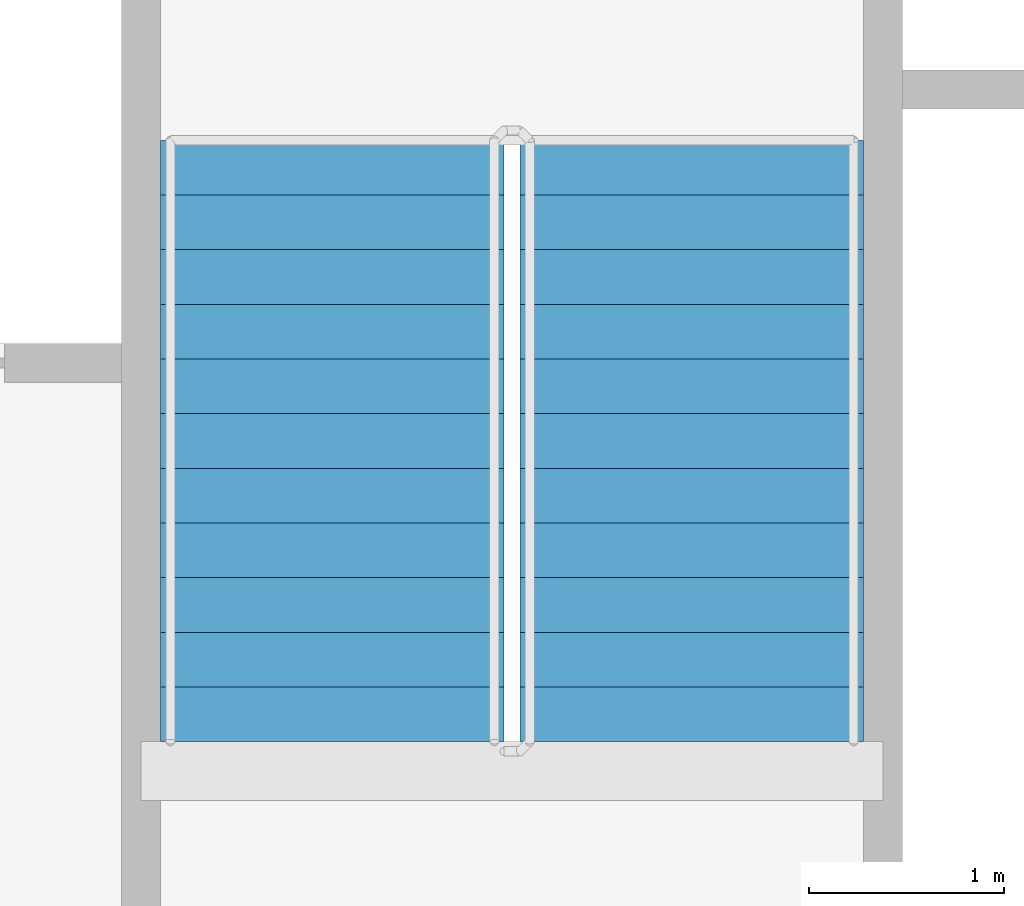
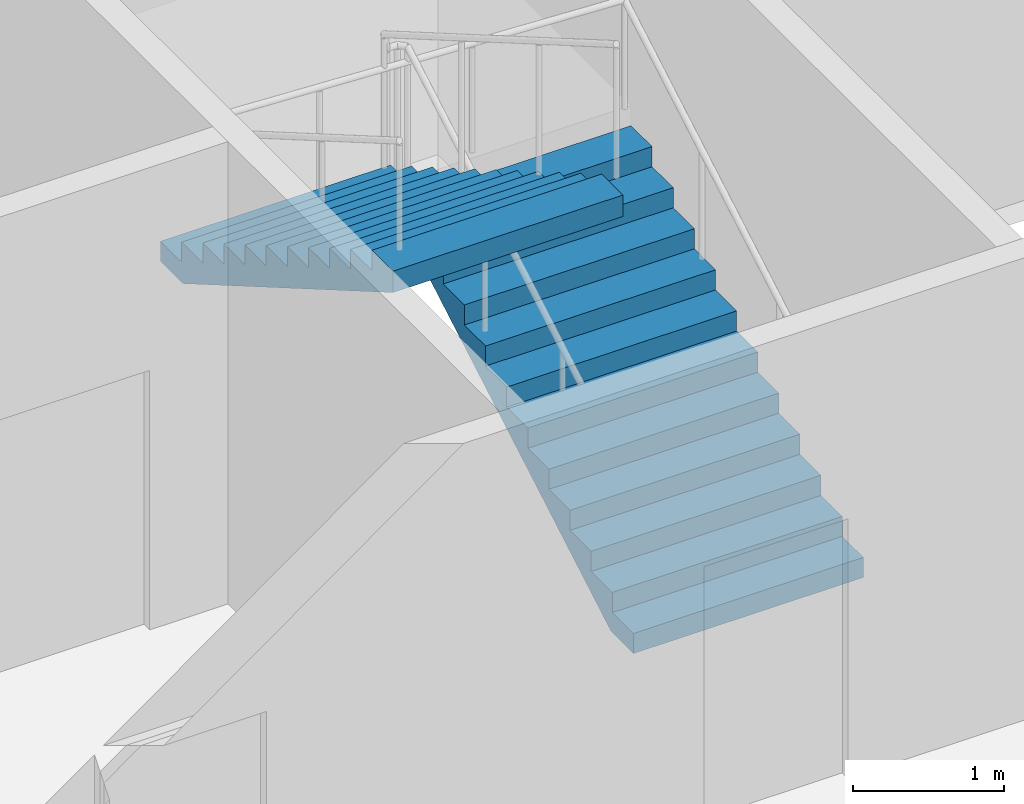
# One storey, part 16 of 21: 2 stair flights, 1 element without a shape of its own.
"""IFC4 building model written with IfcOpenShell, lengths in metres."""

from ifc_helpers import new_model, si_unit, direction, frame, origin, place, context, subcontext, project, spatial, faceted_brep, material, type_object, element, aggregate, save


model = new_model("IFC4")

# Units and contexts
model_context = context("Model", 3, precision=1e-05, world=origin(), true_north=direction((0.0, 1.0)))
body_context = subcontext(model_context, "Body", "Model", "MODEL_VIEW")
ifc_project = project(units=[si_unit("LENGTHUNIT", "METRE"), si_unit("AREAUNIT", "SQUARE_METRE"), si_unit("VOLUMEUNIT", "CUBIC_METRE"), si_unit("PLANEANGLEUNIT", "RADIAN"), si_unit("MASSUNIT", "GRAM", prefix="KILO")], contexts=[model_context])

# Site, building, storey
site_placement = place(None, origin())
site = spatial("IfcSite", under=ifc_project, at=site_placement, CompositionType="ELEMENT")
building_placement = place(site_placement, origin())
building = spatial("IfcBuilding", under=site, at=building_placement, Name="Tarsis Ring Headquarters", CompositionType="ELEMENT")
storey_placement = place(building_placement, frame((0.0, 0.0, 331.39990234375)))
storey = spatial("IfcBuildingStorey", under=building, at=storey_placement, Name="L78", CompositionType="ELEMENT", Elevation=331.39990234375)

# Stair, stair flights
ifc_material_1 = material(Name="Core stair 1760")
stair_type = type_object("IfcStairType", Name="Core stair 1760", PredefinedType="HALF_TURN_STAIR", material=ifc_material_1)
stair_placement = place(storey_placement, origin())
stair = element("IfcStair", 1, at=stair_placement, inside=storey, type_object=stair_type, Name="L78 Exit stair B", PredefinedType="HALF_TURN_STAIR")
ifc_material_2 = material(Name="Concrete C40/50", Category="concrete")
stair_flight_type = type_object("IfcStairFlightType", Name="Core stair flight 1760", PredefinedType="STRAIGHT", material=ifc_material_2)
stair_flight_1_placement = place(storey_placement, frame((5.419921875, 3.659912109375, 0.0), z_axis=(0.0, 0.0, 1.0), x_axis=(0.0, 1.0, 0.0)))
stair_flight_1 = element("IfcStairFlight", 2, at=stair_flight_1_placement, type_object=stair_flight_type, Name="Stair ST2 flight 1", NumberOfRisers=12, NumberOfTreads=11, PredefinedType="STRAIGHT", RiserHeight=0.1625, TreadLength=0.28, context=body_context, shape_type="Brep", body=[
    faceted_brep([(0.0, 0.8798828125, 0.0), (0.0, 0.8798828125, 0.16259765625), (0.280029296875, 0.8798828125, 0.16259765625), (0.280029296875, 0.8798828125, 0.324951171875), (0.56005859375, 0.8798828125, 0.324951171875), (0.56005859375, 0.8798828125, 0.487548828125), (0.840087890625, 0.8798828125, 0.487548828125), (0.840087890625, 0.8798828125, 0.64990234375), (1.1201171875, 0.8798828125, 0.64990234375), (1.1201171875, 0.8798828125, 0.8125), (1.39990234375, 0.8798828125, 0.8125), (1.39990234375, 0.8798828125, 0.97509765625), (1.679931640625, 0.8798828125, 0.97509765625), (1.679931640625, 0.8798828125, 1.137451171875), (1.9599609375, 0.8798828125, 1.137451171875), (1.9599609375, 0.8798828125, 1.300048828125), (2.239990234375, 0.8798828125, 1.300048828125), (2.239990234375, 0.8798828125, 1.46240234375), (2.52001953125, 0.8798828125, 1.46240234375), (2.52001953125, 0.8798828125, 1.625), (2.800048828125, 0.8798828125, 1.625), (2.800048828125, 0.8798828125, 1.78759765625), (3.080078125, 0.8798828125, 1.78759765625), (3.080078125, 0.8798828125, 1.6142578125), (0.298583984375, 0.8798828125, 0.0), (0.298583984375, -0.8798828125, 0.0), (3.080078125, -0.8798828125, 1.6142578125), (3.080078125, -0.8798828125, 1.78759765625), (2.800048828125, -0.8798828125, 1.78759765625), (2.800048828125, -0.8798828125, 1.625), (2.52001953125, -0.8798828125, 1.625), (2.52001953125, -0.8798828125, 1.46240234375), (2.239990234375, -0.8798828125, 1.46240234375), (2.239990234375, -0.8798828125, 1.300048828125), (1.9599609375, -0.8798828125, 1.300048828125), (1.9599609375, -0.8798828125, 1.137451171875), (1.679931640625, -0.8798828125, 1.137451171875), (1.679931640625, -0.8798828125, 0.97509765625), (1.39990234375, -0.8798828125, 0.97509765625), (1.39990234375, -0.8798828125, 0.8125), (1.1201171875, -0.8798828125, 0.8125), (1.1201171875, -0.8798828125, 0.64990234375), (0.840087890625, -0.8798828125, 0.64990234375), (0.840087890625, -0.8798828125, 0.487548828125), (0.56005859375, -0.8798828125, 0.487548828125), (0.56005859375, -0.8798828125, 0.324951171875), (0.280029296875, -0.8798828125, 0.324951171875), (0.280029296875, -0.8798828125, 0.16259765625), (0.0, -0.8798828125, 0.16259765625), (0.0, -0.8798828125, 0.0), (0.0, -0.43994140625, 0.16259765625), (0.0, -0.43994140625, 0.0), (0.0, 0.0, 0.16259765625), (0.0, 0.0, 0.0), (0.0, 0.43994140625, 0.16259765625), (0.0, 0.43994140625, 0.0), (0.280029296875, -0.43994140625, 0.16259765625), (0.280029296875, 0.0, 0.16259765625), (0.280029296875, 0.43994140625, 0.16259765625), (0.280029296875, -0.43994140625, 0.324951171875), (0.280029296875, 0.0, 0.324951171875), (0.280029296875, 0.43994140625, 0.324951171875), (0.56005859375, -0.43994140625, 0.324951171875), (0.56005859375, 0.0, 0.324951171875), (0.56005859375, 0.43994140625, 0.324951171875), (0.56005859375, -0.43994140625, 0.487548828125), (0.56005859375, 0.0, 0.487548828125), (0.56005859375, 0.43994140625, 0.487548828125), (0.840087890625, -0.43994140625, 0.487548828125), (0.840087890625, 0.0, 0.487548828125), (0.840087890625, 0.43994140625, 0.487548828125), (0.840087890625, -0.43994140625, 0.64990234375), (0.840087890625, 0.0, 0.64990234375), (0.840087890625, 0.43994140625, 0.64990234375), (1.1201171875, -0.43994140625, 0.64990234375), (1.1201171875, 0.0, 0.64990234375), (1.1201171875, 0.43994140625, 0.64990234375), (1.1201171875, -0.43994140625, 0.8125), (1.1201171875, 0.0, 0.8125), (1.1201171875, 0.43994140625, 0.8125), (1.39990234375, -0.43994140625, 0.8125), (1.39990234375, 0.0, 0.8125), (1.39990234375, 0.43994140625, 0.8125), (1.39990234375, -0.43994140625, 0.97509765625), (1.39990234375, 0.0, 0.97509765625), (1.39990234375, 0.43994140625, 0.97509765625), (1.679931640625, -0.43994140625, 0.97509765625), (1.679931640625, 0.0, 0.97509765625), (1.679931640625, 0.43994140625, 0.97509765625), (1.679931640625, -0.43994140625, 1.137451171875), (1.679931640625, 0.0, 1.137451171875), (1.679931640625, 0.43994140625, 1.137451171875), (1.9599609375, -0.43994140625, 1.137451171875), (1.9599609375, 0.0, 1.137451171875), (1.9599609375, 0.43994140625, 1.137451171875), (1.9599609375, -0.43994140625, 1.300048828125), (1.9599609375, 0.0, 1.300048828125), (1.9599609375, 0.43994140625, 1.300048828125), (2.239990234375, -0.43994140625, 1.300048828125), (2.239990234375, 0.0, 1.300048828125), (2.239990234375, 0.43994140625, 1.300048828125), (2.239990234375, -0.43994140625, 1.46240234375), (2.239990234375, 0.0, 1.46240234375), (2.239990234375, 0.43994140625, 1.46240234375), (2.52001953125, -0.43994140625, 1.46240234375), (2.52001953125, 0.0, 1.46240234375), (2.52001953125, 0.43994140625, 1.46240234375), (2.52001953125, -0.43994140625, 1.625), (2.52001953125, 0.0, 1.625), (2.52001953125, 0.43994140625, 1.625), (2.800048828125, -0.43994140625, 1.625), (2.800048828125, 0.0, 1.625), (2.800048828125, 0.43994140625, 1.625), (2.800048828125, -0.43994140625, 1.78759765625), (2.800048828125, 0.0, 1.78759765625), (2.800048828125, 0.43994140625, 1.78759765625), (3.080078125, -0.43994140625, 1.78759765625), (3.080078125, 0.0, 1.78759765625), (3.080078125, 0.43994140625, 1.78759765625), (3.080078125, -0.43994140625, 1.6142578125), (3.080078125, 0.0, 1.6142578125), (3.080078125, 0.43994140625, 1.6142578125), (0.298583984375, -0.43994140625, 0.0), (0.298583984375, 0.0, 0.0), (0.298583984375, 0.43994140625, 0.0)], [[[0, 1, 2, 3, 4, 5, 6, 7, 8, 9, 10, 11, 12, 13, 14, 15, 16, 17, 18, 19, 20, 21, 22, 23, 24]], [[25, 26, 27, 28, 29, 30, 31, 32, 33, 34, 35, 36, 37, 38, 39, 40, 41, 42, 43, 44, 45, 46, 47, 48, 49]], [[49, 48, 50, 51]], [[51, 50, 52, 53]], [[53, 52, 54, 55]], [[55, 54, 1, 0]], [[48, 47, 56, 50]], [[50, 56, 57, 52]], [[52, 57, 58, 54]], [[54, 58, 2, 1]], [[47, 46, 59, 56]], [[56, 59, 60, 57]], [[57, 60, 61, 58]], [[58, 61, 3, 2]], [[46, 45, 62, 59]], [[59, 62, 63, 60]], [[60, 63, 64, 61]], [[61, 64, 4, 3]], [[45, 44, 65, 62]], [[62, 65, 66, 63]], [[63, 66, 67, 64]], [[64, 67, 5, 4]], [[44, 43, 68, 65]], [[65, 68, 69, 66]], [[66, 69, 70, 67]], [[67, 70, 6, 5]], [[43, 42, 71, 68]], [[68, 71, 72, 69]], [[69, 72, 73, 70]], [[70, 73, 7, 6]], [[42, 41, 74, 71]], [[71, 74, 75, 72]], [[72, 75, 76, 73]], [[73, 76, 8, 7]], [[41, 40, 77, 74]], [[74, 77, 78, 75]], [[75, 78, 79, 76]], [[76, 79, 9, 8]], [[40, 39, 80, 77]], [[77, 80, 81, 78]], [[78, 81, 82, 79]], [[79, 82, 10, 9]], [[39, 38, 83, 80]], [[80, 83, 84, 81]], [[81, 84, 85, 82]], [[82, 85, 11, 10]], [[38, 37, 86, 83]], [[83, 86, 87, 84]], [[84, 87, 88, 85]], [[85, 88, 12, 11]], [[37, 36, 89, 86]], [[86, 89, 90, 87]], [[87, 90, 91, 88]], [[88, 91, 13, 12]], [[36, 35, 92, 89]], [[89, 92, 93, 90]], [[90, 93, 94, 91]], [[91, 94, 14, 13]], [[35, 34, 95, 92]], [[92, 95, 96, 93]], [[93, 96, 97, 94]], [[94, 97, 15, 14]], [[34, 33, 98, 95]], [[95, 98, 99, 96]], [[96, 99, 100, 97]], [[97, 100, 16, 15]], [[33, 32, 101, 98]], [[98, 101, 102, 99]], [[99, 102, 103, 100]], [[100, 103, 17, 16]], [[32, 31, 104, 101]], [[101, 104, 105, 102]], [[102, 105, 106, 103]], [[103, 106, 18, 17]], [[31, 30, 107, 104]], [[104, 107, 108, 105]], [[105, 108, 109, 106]], [[106, 109, 19, 18]], [[30, 29, 110, 107]], [[107, 110, 111, 108]], [[108, 111, 112, 109]], [[109, 112, 20, 19]], [[29, 28, 113, 110]], [[110, 113, 114, 111]], [[111, 114, 115, 112]], [[112, 115, 21, 20]], [[28, 27, 116, 113]], [[113, 116, 117, 114]], [[114, 117, 118, 115]], [[115, 118, 22, 21]], [[27, 26, 119, 116]], [[116, 119, 120, 117]], [[117, 120, 121, 118]], [[118, 121, 23, 22]], [[26, 25, 122, 119]], [[119, 122, 123, 120]], [[120, 123, 124, 121]], [[121, 124, 24, 23]], [[25, 49, 51, 122]], [[122, 51, 53, 123]], [[123, 53, 55, 124]], [[124, 55, 0, 24]]]),
])
stair_flight_2_placement = place(storey_placement, frame((3.580078125, 6.739990234375, 1.9501953125), z_axis=(0.0, 0.0, 1.0), x_axis=(0.0, -1.0, 0.0)))
stair_flight_2 = element("IfcStairFlight", 3, at=stair_flight_2_placement, type_object=stair_flight_type, Name="Stair ST2 flight 2", NumberOfRisers=12, NumberOfTreads=11, PredefinedType="STRAIGHT", RiserHeight=0.1625, TreadLength=0.28, context=body_context, shape_type="Brep", body=[
    faceted_brep([(0.0, 0.8798828125, 0.0), (0.0, 0.8798828125, 0.16259765625), (0.280029296875, 0.8798828125, 0.16259765625), (0.280029296875, 0.8798828125, 0.324951171875), (0.56005859375, 0.8798828125, 0.324951171875), (0.56005859375, 0.8798828125, 0.487548828125), (0.840087890625, 0.8798828125, 0.487548828125), (0.840087890625, 0.8798828125, 0.64990234375), (1.1201171875, 0.8798828125, 0.64990234375), (1.1201171875, 0.8798828125, 0.8125), (1.39990234375, 0.8798828125, 0.8125), (1.39990234375, 0.8798828125, 0.97509765625), (1.679931640625, 0.8798828125, 0.97509765625), (1.679931640625, 0.8798828125, 1.137451171875), (1.9599609375, 0.8798828125, 1.137451171875), (1.9599609375, 0.8798828125, 1.300048828125), (2.239990234375, 0.8798828125, 1.300048828125), (2.239990234375, 0.8798828125, 1.46240234375), (2.52001953125, 0.8798828125, 1.46240234375), (2.52001953125, 0.8798828125, 1.625), (2.800048828125, 0.8798828125, 1.625), (2.800048828125, 0.8798828125, 1.78759765625), (3.080078125, 0.8798828125, 1.78759765625), (3.080078125, 0.8798828125, 1.6142578125), (0.298583984375, 0.8798828125, 0.0), (0.298583984375, -0.8798828125, 0.0), (3.080078125, -0.8798828125, 1.6142578125), (3.080078125, -0.8798828125, 1.78759765625), (2.800048828125, -0.8798828125, 1.78759765625), (2.800048828125, -0.8798828125, 1.625), (2.52001953125, -0.8798828125, 1.625), (2.52001953125, -0.8798828125, 1.46240234375), (2.239990234375, -0.8798828125, 1.46240234375), (2.239990234375, -0.8798828125, 1.300048828125), (1.9599609375, -0.8798828125, 1.300048828125), (1.9599609375, -0.8798828125, 1.137451171875), (1.679931640625, -0.8798828125, 1.137451171875), (1.679931640625, -0.8798828125, 0.97509765625), (1.39990234375, -0.8798828125, 0.97509765625), (1.39990234375, -0.8798828125, 0.8125), (1.1201171875, -0.8798828125, 0.8125), (1.1201171875, -0.8798828125, 0.64990234375), (0.840087890625, -0.8798828125, 0.64990234375), (0.840087890625, -0.8798828125, 0.487548828125), (0.56005859375, -0.8798828125, 0.487548828125), (0.56005859375, -0.8798828125, 0.324951171875), (0.280029296875, -0.8798828125, 0.324951171875), (0.280029296875, -0.8798828125, 0.16259765625), (0.0, -0.8798828125, 0.16259765625), (0.0, -0.8798828125, 0.0), (0.0, -0.43994140625, 0.16259765625), (0.0, -0.43994140625, 0.0), (0.0, 0.0, 0.16259765625), (0.0, 0.0, 0.0), (0.0, 0.43994140625, 0.16259765625), (0.0, 0.43994140625, 0.0), (0.280029296875, -0.43994140625, 0.16259765625), (0.280029296875, 0.0, 0.16259765625), (0.280029296875, 0.43994140625, 0.16259765625), (0.280029296875, -0.43994140625, 0.324951171875), (0.280029296875, 0.0, 0.324951171875), (0.280029296875, 0.43994140625, 0.324951171875), (0.56005859375, -0.43994140625, 0.324951171875), (0.56005859375, 0.0, 0.324951171875), (0.56005859375, 0.43994140625, 0.324951171875), (0.56005859375, -0.43994140625, 0.487548828125), (0.56005859375, 0.0, 0.487548828125), (0.56005859375, 0.43994140625, 0.487548828125), (0.840087890625, -0.43994140625, 0.487548828125), (0.840087890625, 0.0, 0.487548828125), (0.840087890625, 0.43994140625, 0.487548828125), (0.840087890625, -0.43994140625, 0.64990234375), (0.840087890625, 0.0, 0.64990234375), (0.840087890625, 0.43994140625, 0.64990234375), (1.1201171875, -0.43994140625, 0.64990234375), (1.1201171875, 0.0, 0.64990234375), (1.1201171875, 0.43994140625, 0.64990234375), (1.1201171875, -0.43994140625, 0.8125), (1.1201171875, 0.0, 0.8125), (1.1201171875, 0.43994140625, 0.8125), (1.39990234375, -0.43994140625, 0.8125), (1.39990234375, 0.0, 0.8125), (1.39990234375, 0.43994140625, 0.8125), (1.39990234375, -0.43994140625, 0.97509765625), (1.39990234375, 0.0, 0.97509765625), (1.39990234375, 0.43994140625, 0.97509765625), (1.679931640625, -0.43994140625, 0.97509765625), (1.679931640625, 0.0, 0.97509765625), (1.679931640625, 0.43994140625, 0.97509765625), (1.679931640625, -0.43994140625, 1.137451171875), (1.679931640625, 0.0, 1.137451171875), (1.679931640625, 0.43994140625, 1.137451171875), (1.9599609375, -0.43994140625, 1.137451171875), (1.9599609375, 0.0, 1.137451171875), (1.9599609375, 0.43994140625, 1.137451171875), (1.9599609375, -0.43994140625, 1.300048828125), (1.9599609375, 0.0, 1.300048828125), (1.9599609375, 0.43994140625, 1.300048828125), (2.239990234375, -0.43994140625, 1.300048828125), (2.239990234375, 0.0, 1.300048828125), (2.239990234375, 0.43994140625, 1.300048828125), (2.239990234375, -0.43994140625, 1.46240234375), (2.239990234375, 0.0, 1.46240234375), (2.239990234375, 0.43994140625, 1.46240234375), (2.52001953125, -0.43994140625, 1.46240234375), (2.52001953125, 0.0, 1.46240234375), (2.52001953125, 0.43994140625, 1.46240234375), (2.52001953125, -0.43994140625, 1.625), (2.52001953125, 0.0, 1.625), (2.52001953125, 0.43994140625, 1.625), (2.800048828125, -0.43994140625, 1.625), (2.800048828125, 0.0, 1.625), (2.800048828125, 0.43994140625, 1.625), (2.800048828125, -0.43994140625, 1.78759765625), (2.800048828125, 0.0, 1.78759765625), (2.800048828125, 0.43994140625, 1.78759765625), (3.080078125, -0.43994140625, 1.78759765625), (3.080078125, 0.0, 1.78759765625), (3.080078125, 0.43994140625, 1.78759765625), (3.080078125, -0.43994140625, 1.6142578125), (3.080078125, 0.0, 1.6142578125), (3.080078125, 0.43994140625, 1.6142578125), (0.298583984375, -0.43994140625, 0.0), (0.298583984375, 0.0, 0.0), (0.298583984375, 0.43994140625, 0.0)], [[[0, 1, 2, 3, 4, 5, 6, 7, 8, 9, 10, 11, 12, 13, 14, 15, 16, 17, 18, 19, 20, 21, 22, 23, 24]], [[25, 26, 27, 28, 29, 30, 31, 32, 33, 34, 35, 36, 37, 38, 39, 40, 41, 42, 43, 44, 45, 46, 47, 48, 49]], [[49, 48, 50, 51]], [[51, 50, 52, 53]], [[53, 52, 54, 55]], [[55, 54, 1, 0]], [[48, 47, 56, 50]], [[50, 56, 57, 52]], [[52, 57, 58, 54]], [[54, 58, 2, 1]], [[47, 46, 59, 56]], [[56, 59, 60, 57]], [[57, 60, 61, 58]], [[58, 61, 3, 2]], [[46, 45, 62, 59]], [[59, 62, 63, 60]], [[60, 63, 64, 61]], [[61, 64, 4, 3]], [[45, 44, 65, 62]], [[62, 65, 66, 63]], [[63, 66, 67, 64]], [[64, 67, 5, 4]], [[44, 43, 68, 65]], [[65, 68, 69, 66]], [[66, 69, 70, 67]], [[67, 70, 6, 5]], [[43, 42, 71, 68]], [[68, 71, 72, 69]], [[69, 72, 73, 70]], [[70, 73, 7, 6]], [[42, 41, 74, 71]], [[71, 74, 75, 72]], [[72, 75, 76, 73]], [[73, 76, 8, 7]], [[41, 40, 77, 74]], [[74, 77, 78, 75]], [[75, 78, 79, 76]], [[76, 79, 9, 8]], [[40, 39, 80, 77]], [[77, 80, 81, 78]], [[78, 81, 82, 79]], [[79, 82, 10, 9]], [[39, 38, 83, 80]], [[80, 83, 84, 81]], [[81, 84, 85, 82]], [[82, 85, 11, 10]], [[38, 37, 86, 83]], [[83, 86, 87, 84]], [[84, 87, 88, 85]], [[85, 88, 12, 11]], [[37, 36, 89, 86]], [[86, 89, 90, 87]], [[87, 90, 91, 88]], [[88, 91, 13, 12]], [[36, 35, 92, 89]], [[89, 92, 93, 90]], [[90, 93, 94, 91]], [[91, 94, 14, 13]], [[35, 34, 95, 92]], [[92, 95, 96, 93]], [[93, 96, 97, 94]], [[94, 97, 15, 14]], [[34, 33, 98, 95]], [[95, 98, 99, 96]], [[96, 99, 100, 97]], [[97, 100, 16, 15]], [[33, 32, 101, 98]], [[98, 101, 102, 99]], [[99, 102, 103, 100]], [[100, 103, 17, 16]], [[32, 31, 104, 101]], [[101, 104, 105, 102]], [[102, 105, 106, 103]], [[103, 106, 18, 17]], [[31, 30, 107, 104]], [[104, 107, 108, 105]], [[105, 108, 109, 106]], [[106, 109, 19, 18]], [[30, 29, 110, 107]], [[107, 110, 111, 108]], [[108, 111, 112, 109]], [[109, 112, 20, 19]], [[29, 28, 113, 110]], [[110, 113, 114, 111]], [[111, 114, 115, 112]], [[112, 115, 21, 20]], [[28, 27, 116, 113]], [[113, 116, 117, 114]], [[114, 117, 118, 115]], [[115, 118, 22, 21]], [[27, 26, 119, 116]], [[116, 119, 120, 117]], [[117, 120, 121, 118]], [[118, 121, 23, 22]], [[26, 25, 122, 119]], [[119, 122, 123, 120]], [[120, 123, 124, 121]], [[121, 124, 24, 23]], [[25, 49, 51, 122]], [[122, 51, 53, 123]], [[123, 53, 55, 124]], [[124, 55, 0, 24]]]),
])
aggregate(stair, [stair_flight_1, stair_flight_2])

save(model, "model.ifc")
